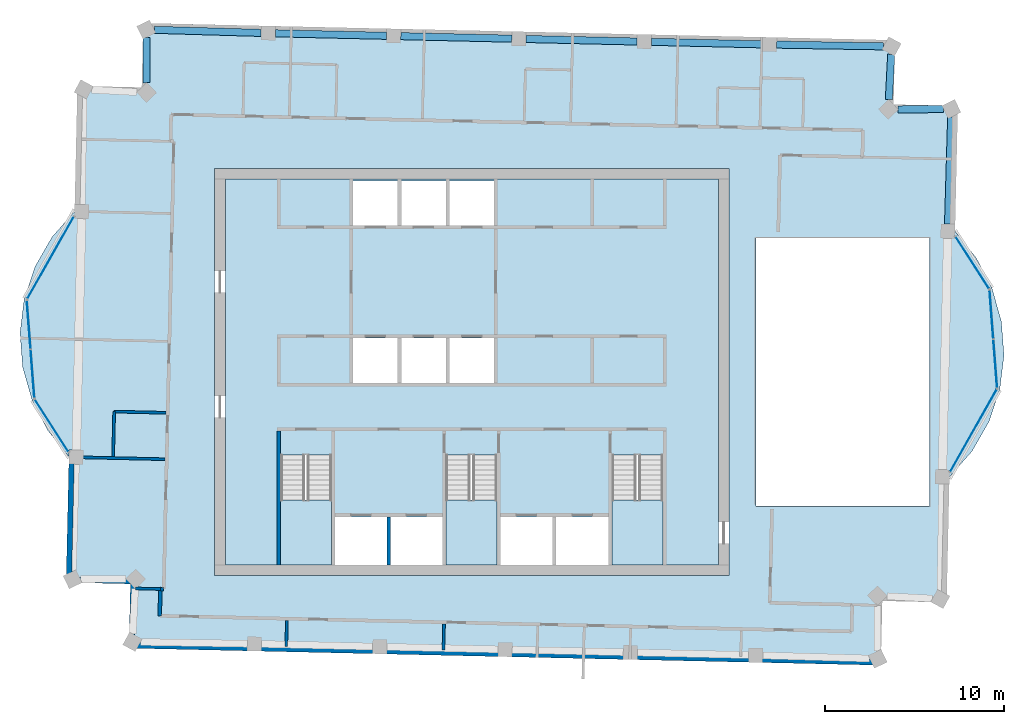
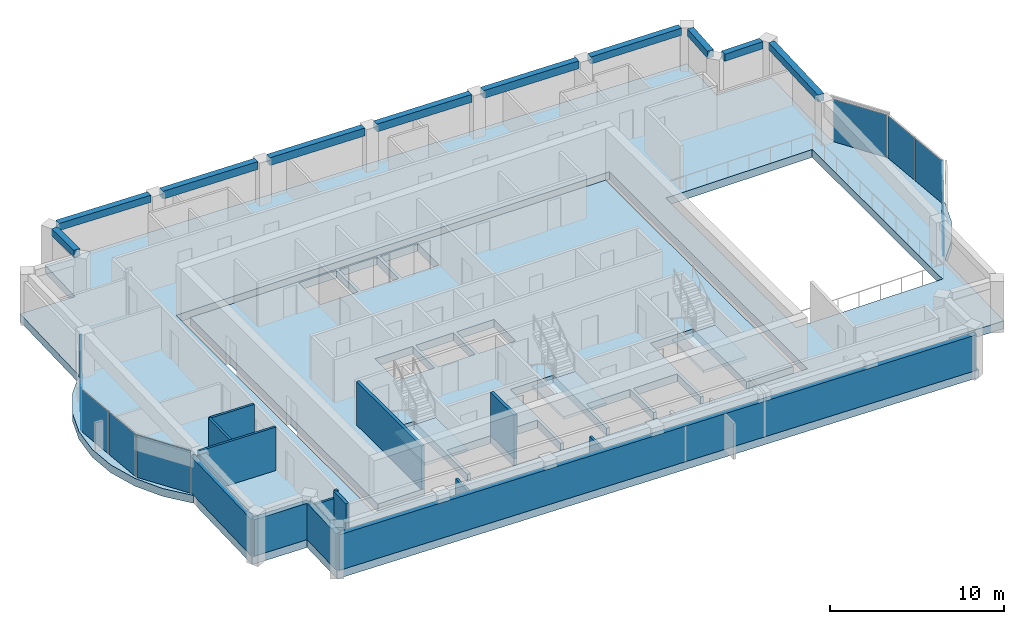
# One storey, part 6 of 12: 14 walls, 10 beams, 8 plates, 5 slabs, 9 elements without a shape of their own.
"""IFC4 building model written with IfcOpenShell, lengths in metres."""

from ifc_helpers import new_model, si_unit, direction, frame, frame_2d, origin, origin_2d, place, context, subcontext, project, spatial, polyline, rectangle, outline, extrude, material, layer, layer_set, material_profile, profile_set, type_object, element, aggregate, save


model = new_model("IFC4")

# Units and contexts
model_context = context("Model", 3, precision=1e-05, world=origin(), true_north=direction((0.0, 1.0)))
body_context = subcontext(model_context, "Body", "Model", "MODEL_VIEW")
ifc_project = project(units=[si_unit("LENGTHUNIT", "METRE"), si_unit("AREAUNIT", "SQUARE_METRE"), si_unit("VOLUMEUNIT", "CUBIC_METRE"), si_unit("PLANEANGLEUNIT", "RADIAN"), si_unit("MASSUNIT", "GRAM", prefix="KILO")], contexts=[model_context])

# Site, building, storey
site_placement = place(None, origin())
site = spatial("IfcSite", under=ifc_project, at=site_placement, CompositionType="ELEMENT")
building_placement = place(site_placement, origin())
building = spatial("IfcBuilding", under=site, at=building_placement, Name="Mangrove Gate Tower", CompositionType="ELEMENT")
storey_placement = place(building_placement, frame((0.0, 0.0, 350.699951171875)))
storey = spatial("IfcBuildingStorey", under=building, at=storey_placement, Name="L89", CompositionType="ELEMENT", Elevation=350.699951171875)

# Beams
ifc_material_1 = material(Name="Concrete C50/60", Category="concrete")
ifc_material_profile_1 = material_profile(ifc_material_1, rectangle(XDim=0.39990234375, YDim=0.5, at=origin_2d()))
ifc_profile_set_1 = profile_set([ifc_material_profile_1], Name="Concrete C50/60")
beam_type_1 = type_object("IfcBeamType", Name="Edge beam RC 400x500 C50/60", PredefinedType="BEAM", material=ifc_profile_set_1)
beam_1_placement = place(storey_placement, frame((26.66064453125, 8.285888671875, 2.800048828125), z_axis=(0.029093708188, 0.999576688476, 0.0), x_axis=(-0.999576688476, 0.029093708188, 0.0)))
element("IfcBeam", 1, at=beam_1_placement, inside=storey, type_object=beam_type_1, Name="Edge beam L89 13", PredefinedType="BEAM", context=body_context, shape_type="SweptSolid", body=[
    extrude(rectangle(XDim=0.39990234375, YDim=0.5, at=origin_2d()), origin(), (0.0, 0.0, 1.0), 5.991455078125),
])
beam_2_placement = place(storey_placement, frame((26.40478515625, 14.72314453125, 2.800048828125), z_axis=(-0.999983852643, -0.00568282097, 0.0), x_axis=(0.00568282097, -0.999983852643, 0.0)))
element("IfcBeam", 2, at=beam_2_placement, inside=storey, type_object=beam_type_1, Name="Edge beam L89 14", PredefinedType="BEAM", context=body_context, shape_type="SweptSolid", body=[
    extrude(rectangle(XDim=0.39990234375, YDim=0.5, at=origin_2d()), origin(), (0.0, 0.0, 1.0), 2.53466796875),
])
beam_3_placement = place(storey_placement, frame((23.347900390625, 15.255126953125, 2.800048828125), z_axis=(0.05123938324, 0.99868640003, 0.0), x_axis=(-0.99868640003, 0.05123938324, 0.0)))
element("IfcBeam", 3, at=beam_3_placement, inside=storey, type_object=beam_type_1, Name="Edge beam L89 15", PredefinedType="BEAM", context=body_context, shape_type="SweptSolid", body=[
    extrude(rectangle(XDim=0.39990234375, YDim=0.5, at=origin_2d()), origin(), (0.0, 0.0, 1.0), 2.534912109375),
])
for number, where, z_axis, x_axis, name in (
    (4, (23.04931640625, 18.236572265625, 2.800048828125), (-0.999868120813, 0.01624010415, 0.0), (-0.01624010415, -0.999868120813, 0.0), "Edge beam L89 16"),
    (5, (-11.79296875, 18.98876953125, 2.800048828125), (-0.999576700811, 0.029093284389, 0.0), (-0.029093284389, -0.999576700811, 0.0), "Edge beam L89 21"),
):
    element("IfcBeam", number, at=place(storey_placement, frame(where, z_axis=z_axis, x_axis=x_axis)), inside=storey, type_object=beam_type_1, Name=name, PredefinedType="BEAM", context=body_context, shape_type="SweptSolid", body=[
        extrude(rectangle(XDim=0.39990234375, YDim=0.5, at=origin_2d()), origin(), (0.0, 0.0, 1.0), 5.983154296875),
    ])
beam_4_placement = place(storey_placement, frame((-18.221923828125, 18.73291015625, 2.800048828125), z_axis=(0.005971192784, -0.999982172269, 0.0), x_axis=(0.999982172269, 0.005971192784, 0.0)))
element("IfcBeam", 6, at=beam_4_placement, inside=storey, type_object=beam_type_1, Name="Edge beam L89 22", PredefinedType="BEAM", context=body_context, shape_type="SweptSolid", body=[
    extrude(rectangle(XDim=0.39990234375, YDim=0.5, at=origin_2d()), origin(), (0.0, 0.0, 1.0), 2.534912109375),
])
ifc_material_2 = material(Name="Concrete C50/60", Category="concrete")
ifc_material_profile_2 = material_profile(ifc_material_2, rectangle(XDim=0.39990234375, YDim=0.550048828125, at=origin_2d()))
ifc_profile_set_2 = profile_set([ifc_material_profile_2], Name="Concrete C50/60")
beam_type_2 = type_object("IfcBeamType", Name="Edge beam RC 400x550 C50/60", PredefinedType="BEAM", material=ifc_profile_set_2)
beam_5_placement = place(storey_placement, frame((16.26708984375, 18.34912109375, 2.775146484375), z_axis=(-0.999743252759, 0.022658962088, 0.0), x_axis=(-0.022658962088, -0.999743252759, 0.0)))
element("IfcBeam", 7, at=beam_5_placement, inside=storey, type_object=beam_type_2, Name="Edge beam L89 17", PredefinedType="BEAM", context=body_context, shape_type="SweptSolid", body=[
    extrude(rectangle(XDim=0.39990234375, YDim=0.550048828125, at=origin_2d()), origin(), (0.0, 0.0, 1.0), 6.217041015625),
])
beam_6_placement = place(storey_placement, frame((9.251953125, 18.508056640625, 2.775146484375), z_axis=(-0.999743232595, 0.022659851719, 0.0), x_axis=(-0.022659851719, -0.999743232595, 0.0)))
element("IfcBeam", 8, at=beam_6_placement, inside=storey, type_object=beam_type_2, Name="Edge beam L89 18", PredefinedType="BEAM", context=body_context, shape_type="SweptSolid", body=[
    extrude(rectangle(XDim=0.39990234375, YDim=0.550048828125, at=origin_2d()), origin(), (0.0, 0.0, 1.0), 6.216796875),
])
beam_7_placement = place(storey_placement, frame((2.237060546875, 18.667236328125, 2.775146484375), z_axis=(-0.999743252759, 0.022658962088, 0.0), x_axis=(-0.022658962088, -0.999743252759, 0.0)))
element("IfcBeam", 9, at=beam_7_placement, inside=storey, type_object=beam_type_2, Name="Edge beam L89 19", PredefinedType="BEAM", context=body_context, shape_type="SweptSolid", body=[
    extrude(rectangle(XDim=0.39990234375, YDim=0.550048828125, at=origin_2d()), origin(), (0.0, 0.0, 1.0), 6.217041015625),
])
beam_8_placement = place(storey_placement, frame((-4.778076171875, 18.826171875, 2.775146484375), z_axis=(-0.999739661617, 0.022816857579, 0.0), x_axis=(-0.022816857579, -0.999739661617, 0.0)))
element("IfcBeam", 10, at=beam_8_placement, inside=storey, type_object=beam_type_2, Name="Edge beam L89 20", PredefinedType="BEAM", context=body_context, shape_type="SweptSolid", body=[
    extrude(rectangle(XDim=0.39990234375, YDim=0.550048828125, at=origin_2d()), origin(), (0.0, 0.0, 1.0), 6.216796875),
])

# Slab
ifc_material_3 = material(Name="Concrete C40/50", Category="concrete")
ifc_layer_1 = layer(ifc_material_3, 0.550048828125)
ifc_layer_set_1 = layer_set([ifc_layer_1], Name="Core floor slab 550 C40/50")
slab_type_1 = type_object("IfcSlabType", Name="Core floor slab 550 C40/50", PredefinedType="FLOOR", material=ifc_layer_set_1)
slab_1_placement = place(storey_placement, frame((0.0, 0.0, -0.550048828125)))
element("IfcSlab", 11, at=slab_1_placement, inside=storey, type_object=slab_type_1, Name="SLAB-L89-CORE-1", PredefinedType="FLOOR", context=body_context, shape_type="SweptSolid", body=[
    extrude(outline(polyline([(-13.800048828125, -10.800048828125), (-13.800048828125, 10.800048828125), (13.800048828125, 10.800048828125), (13.800048828125, -10.800048828125), (10.699951171875, -10.800048828125), (10.699951171875, -4.653076171875), (7.85009765625, -4.653076171875), (7.85009765625, -10.800048828125), (7.64990234375, -10.800048828125), (7.64990234375, -8.10009765625), (4.72509765625, -8.10009765625), (4.72509765625, -10.800048828125), (4.52490234375, -10.800048828125), (4.52490234375, -8.10009765625), (1.60009765625, -8.10009765625), (1.60009765625, -10.800048828125), (1.39990234375, -10.800048828125), (1.39990234375, -4.653076171875), (-1.449951171875, -4.653076171875), (-1.449951171875, -10.800048828125), (-1.64990234375, -10.800048828125), (-1.64990234375, -8.10009765625), (-4.550048828125, -8.10009765625), (-4.550048828125, -10.800048828125), (-4.75, -10.800048828125), (-4.75, -8.10009765625), (-7.64990234375, -8.10009765625), (-7.64990234375, -10.800048828125), (-7.85009765625, -10.800048828125), (-7.85009765625, -4.653076171875), (-10.699951171875, -4.653076171875), (-10.699951171875, -10.800048828125), (-13.800048828125, -10.800048828125)]), holes=[polyline([(-4.14990234375, 1.89990234375), (-6.64990234375, 1.89990234375), (-6.64990234375, -0.60009765625), (-4.14990234375, -0.60009765625), (-4.14990234375, 1.89990234375)]), polyline([(-1.449951171875, -0.60009765625), (-1.449951171875, 1.89990234375), (-3.949951171875, 1.89990234375), (-3.949951171875, -0.60009765625), (-1.449951171875, -0.60009765625)]), polyline([(-4.14990234375, 8.199951171875), (-4.14990234375, 10.699951171875), (-6.64990234375, 10.699951171875), (-6.64990234375, 8.199951171875), (-4.14990234375, 8.199951171875)]), polyline([(-1.449951171875, 10.699951171875), (-3.949951171875, 10.699951171875), (-3.949951171875, 8.199951171875), (-1.449951171875, 8.199951171875), (-1.449951171875, 10.699951171875)]), polyline([(1.25, -0.60009765625), (1.25, 1.89990234375), (-1.25, 1.89990234375), (-1.25, -0.60009765625), (1.25, -0.60009765625)]), polyline([(1.25, 8.199951171875), (1.25, 10.699951171875), (-1.25, 10.699951171875), (-1.25, 8.199951171875), (1.25, 8.199951171875)])]), origin(), (0.0, 0.0, 1.0), 0.550048828125),
])

# Stair, slab
ifc_material_4 = material(Name="Concrete C40/50", Category="concrete")
stair_type = type_object("IfcStairType", Name="Core stair 1350", PredefinedType="HALF_TURN_STAIR", material=ifc_material_4)
stair_1_placement = place(storey_placement, origin())
stair_1 = element("IfcStair", 12, at=stair_1_placement, inside=storey, type_object=stair_type, Name="L89 Stair 1", PredefinedType="HALF_TURN_STAIR")
ifc_material_5 = material(Name="Concrete C40/50", Category="concrete")
ifc_layer_2 = layer(ifc_material_5, 0.199951171875)
ifc_layer_set_2 = layer_set([ifc_layer_2], Name="Core stair landing 200")
slab_type_2 = type_object("IfcSlabType", Name="Core stair landing 200", PredefinedType="LANDING", material=ifc_layer_set_2)
slab_2_placement = place(storey_placement, frame((0.0, 0.0, 1.60009765625)))
slab_2 = element("IfcSlab", 13, at=slab_2_placement, type_object=slab_type_2, Name="ST1 landing 1", PredefinedType="LANDING", context=body_context, shape_type="SweptSolid", body=[
    extrude(outline(polyline([(-10.699951171875, -7.169921875), (-10.699951171875, -10.800048828125), (-7.85009765625, -10.800048828125), (-7.85009765625, -7.169921875), (-10.699951171875, -7.169921875)])), origin(), (0.0, 0.0, 1.0), 0.199951171875),
])
aggregate(stair_1, [slab_2])

stair_2_placement = place(storey_placement, origin())
stair_2 = element("IfcStair", 14, at=stair_2_placement, inside=storey, type_object=stair_type, Name="L89 Stair 2", PredefinedType="HALF_TURN_STAIR")
slab_3_placement = place(storey_placement, frame((0.0, 0.0, 1.60009765625)))
slab_3 = element("IfcSlab", 15, at=slab_3_placement, type_object=slab_type_2, Name="ST2 landing 1", PredefinedType="LANDING", context=body_context, shape_type="SweptSolid", body=[
    extrude(outline(polyline([(-1.449951171875, -7.169921875), (-1.449951171875, -10.800048828125), (1.39990234375, -10.800048828125), (1.39990234375, -7.169921875), (-1.449951171875, -7.169921875)])), origin(), (0.0, 0.0, 1.0), 0.199951171875),
])
aggregate(stair_2, [slab_3])

stair_3_placement = place(storey_placement, origin())
stair_3 = element("IfcStair", 16, at=stair_3_placement, inside=storey, type_object=stair_type, Name="L89 Stair 3", PredefinedType="HALF_TURN_STAIR")
slab_4_placement = place(storey_placement, frame((0.0, 0.0, 1.60009765625)))
slab_4 = element("IfcSlab", 17, at=slab_4_placement, type_object=slab_type_2, Name="ST3 landing 1", PredefinedType="LANDING", context=body_context, shape_type="SweptSolid", body=[
    extrude(outline(polyline([(7.85009765625, -7.169921875), (7.85009765625, -10.800048828125), (10.699951171875, -10.800048828125), (10.699951171875, -7.169921875), (7.85009765625, -7.169921875)])), origin(), (0.0, 0.0, 1.0), 0.199951171875),
])
aggregate(stair_3, [slab_4])

# Curtain wall, plate
ifc_material_6 = material(Name="Aluminium and glass curtain wall", Category="aluminium")
curtain_wall_type = type_object("IfcCurtainWallType", Name="Crown garden glazing wall", PredefinedType="NOTDEFINED", material=ifc_material_6)
curtain_wall_1_placement = place(storey_placement, origin())
curtain_wall_1 = element("IfcCurtainWall", 18, at=curtain_wall_1_placement, inside=storey, type_object=curtain_wall_type, Name="Crown garden glazing E1f1", PredefinedType="NOTDEFINED")
ifc_material_7 = material(Name="Laminated low-e glass", Category="glass")
ifc_layer_3 = layer(ifc_material_7, 0.02587890625)
ifc_layer_set_3 = layer_set([ifc_layer_3], Name="Crown garden glazing panel 26")
plate_type = type_object("IfcPlateType", Name="Crown garden glazing panel 26", PredefinedType="CURTAIN_PANEL", material=ifc_layer_set_3)
plate_1_placement = place(storey_placement, frame((28.081787109375, -3.276123046875, 0.0), z_axis=(0.0, 0.0, 1.0), x_axis=(0.492565535731, 0.870275354707, 0.0)))
plate_1 = element("IfcPlate", 19, at=plate_1_placement, type_object=plate_type, Name="CWC panel 1.1", PredefinedType="CURTAIN_PANEL", context=body_context, shape_type="SweptSolid", body=[
    extrude(rectangle(XDim=5.277587890625, YDim=0.02587890625, at=origin_2d()), origin(), (0.0, 0.0, 1.0), 2.989990234375),
])
aggregate(curtain_wall_1, [plate_1])

# Curtain wall, plates
curtain_wall_2_placement = place(storey_placement, origin())
curtain_wall_2 = element("IfcCurtainWall", 20, at=curtain_wall_2_placement, inside=storey, type_object=curtain_wall_type, Name="Crown garden glazing E1f2", PredefinedType="NOTDEFINED")
plate_2_placement = place(storey_placement, frame((29.302734375, 0.4765625, 0.0), z_axis=(0.0, 0.0, 1.0), x_axis=(-0.077023348386, 0.997029289341, 0.0)))
plate_2 = element("IfcPlate", 21, at=plate_2_placement, type_object=plate_type, Name="CWC panel 1.1", PredefinedType="CURTAIN_PANEL", context=body_context, shape_type="SweptSolid", body=[
    extrude(rectangle(XDim=2.69677734375, YDim=0.02587890625, at=origin_2d()), origin(), (0.0, 0.0, 1.0), 2.989990234375),
])
plate_3_placement = place(storey_placement, frame((29.09033203125, 3.22509765625, 0.0), z_axis=(0.0, 0.0, 1.0), x_axis=(-0.077023348386, 0.997029289341, 0.0)))
plate_3 = element("IfcPlate", 22, at=plate_3_placement, type_object=plate_type, Name="CWC panel 2.1", PredefinedType="CURTAIN_PANEL", context=body_context, shape_type="SweptSolid", body=[
    extrude(rectangle(XDim=2.69677734375, YDim=0.02587890625, at=origin_2d()), origin(), (0.0, 0.0, 1.0), 2.989990234375),
])
aggregate(curtain_wall_2, [plate_2, plate_3])

# Curtain wall, plate
curtain_wall_3_placement = place(storey_placement, origin())
curtain_wall_3 = element("IfcCurtainWall", 23, at=curtain_wall_3_placement, inside=storey, type_object=curtain_wall_type, Name="Crown garden glazing E1f3", PredefinedType="NOTDEFINED")
plate_4_placement = place(storey_placement, frame((28.017578125, 6.13037109375, 0.0), z_axis=(0.0, 0.0, 1.0), x_axis=(-0.540496353657, 0.841346356552, 0.0)))
plate_4 = element("IfcPlate", 24, at=plate_4_placement, type_object=plate_type, Name="CWC panel 1.1", PredefinedType="CURTAIN_PANEL", context=body_context, shape_type="SweptSolid", body=[
    extrude(rectangle(XDim=3.447998046875, YDim=0.02587890625, at=origin_2d()), origin(), (0.0, 0.0, 1.0), 2.989990234375),
])
aggregate(curtain_wall_3, [plate_4])

curtain_wall_4_placement = place(storey_placement, origin())
curtain_wall_4 = element("IfcCurtainWall", 25, at=curtain_wall_4_placement, inside=storey, type_object=curtain_wall_type, Name="Crown garden glazing W9f1", PredefinedType="NOTDEFINED")
plate_5_placement = place(storey_placement, frame((-23.583984375, 6.401611328125, 0.0), z_axis=(0.0, 0.0, 1.0), x_axis=(-0.492564965879, -0.870275677236, 0.0)))
plate_5 = element("IfcPlate", 26, at=plate_5_placement, type_object=plate_type, Name="CWC panel 1.1", PredefinedType="CURTAIN_PANEL", context=body_context, shape_type="SweptSolid", body=[
    extrude(rectangle(XDim=5.277587890625, YDim=0.02587890625, at=origin_2d()), origin(), (0.0, 0.0, 1.0), 2.989990234375),
])
aggregate(curtain_wall_4, [plate_5])

# Curtain wall, plates
curtain_wall_5_placement = place(storey_placement, origin())
curtain_wall_5 = element("IfcCurtainWall", 27, at=curtain_wall_5_placement, inside=storey, type_object=curtain_wall_type, Name="Crown garden glazing W9f2", PredefinedType="NOTDEFINED")
plate_6_placement = place(storey_placement, frame((-24.8046875, 2.648681640625, 0.0), z_axis=(0.0, 0.0, 1.0), x_axis=(0.077023348403, -0.997029289339, 0.0)))
plate_6 = element("IfcPlate", 28, at=plate_6_placement, type_object=plate_type, Name="CWC panel 1.1", PredefinedType="CURTAIN_PANEL", context=body_context, shape_type="SweptSolid", body=[
    extrude(rectangle(XDim=2.69677734375, YDim=0.02587890625, at=origin_2d()), origin(), (0.0, 0.0, 1.0), 2.989990234375),
])
plate_7_placement = place(storey_placement, frame((-24.59228515625, -0.099853515625, 0.0), z_axis=(0.0, 0.0, 1.0), x_axis=(0.077023348403, -0.997029289339, 0.0)))
plate_7 = element("IfcPlate", 29, at=plate_7_placement, type_object=plate_type, Name="CWC panel 2.1", PredefinedType="CURTAIN_PANEL", context=body_context, shape_type="SweptSolid", body=[
    extrude(rectangle(XDim=2.69677734375, YDim=0.02587890625, at=origin_2d()), origin(), (0.0, 0.0, 1.0), 2.989990234375),
])
aggregate(curtain_wall_5, [plate_6, plate_7])

# Curtain wall, plate
curtain_wall_6_placement = place(storey_placement, origin())
curtain_wall_6 = element("IfcCurtainWall", 30, at=curtain_wall_6_placement, inside=storey, type_object=curtain_wall_type, Name="Crown garden glazing W9f3", PredefinedType="NOTDEFINED")
plate_8_placement = place(storey_placement, frame((-23.51953125, -3.0048828125, 0.0), z_axis=(0.0, 0.0, 1.0), x_axis=(0.540495927168, -0.841346630537, 0.0)))
plate_8 = element("IfcPlate", 31, at=plate_8_placement, type_object=plate_type, Name="CWC panel 1.1", PredefinedType="CURTAIN_PANEL", context=body_context, shape_type="SweptSolid", body=[
    extrude(rectangle(XDim=3.447998046875, YDim=0.02587890625, at=origin_2d()), origin(), (0.0, 0.0, 1.0), 2.989990234375),
])
aggregate(curtain_wall_6, [plate_8])

# Slab
ifc_material_8 = material(Name="Concrete C40/50", Category="concrete")
ifc_layer_4 = layer(ifc_material_8, 0.550048828125)
ifc_layer_set_4 = layer_set([ifc_layer_4], Name="Floor slab 550 C40/50")
slab_type_3 = type_object("IfcSlabType", Name="Floor slab 550 C40/50", PredefinedType="FLOOR", material=ifc_layer_set_4)
slab_5_placement = place(storey_placement, frame((0.0, 0.0, -0.550048828125)))
element("IfcSlab", 32, at=slab_5_placement, inside=storey, type_object=slab_type_3, Name="Floor slab L89", PredefinedType="FLOOR", context=body_context, shape_type="SweptSolid", body=[
    extrude(outline(polyline([(-19.192626953125, -15.455322265625), (22.896484375, -16.410400390625), (22.978271484375, -12.811279296875), (26.577392578125, -12.89306640625), (26.736572265625, -5.8701171875), (27.999755859375, -4.43359375), (28.952880859375, -2.775146484375), (29.558349609375, -0.9609375), (29.7919921875, 0.9375), (29.64453125, 2.8447265625), (29.1220703125, 4.684814453125), (28.2451171875, 6.384521484375), (27.048583984375, 7.876953125), (27.2080078125, 14.89990234375), (23.60888671875, 14.9814453125), (23.690673828125, 18.58056640625), (-18.3984375, 19.53564453125), (-18.480224609375, 15.9365234375), (-22.079345703125, 16.018310546875), (-22.23876953125, 8.995361328125), (-23.501708984375, 7.558837890625), (-24.454833984375, 5.900634765625), (-25.060302734375, 4.086181640625), (-25.2939453125, 2.187744140625), (-25.146484375, 0.280517578125), (-24.6240234375, -1.559326171875), (-23.7470703125, -3.25927734375), (-22.550537109375, -4.751708984375), (-22.7099609375, -11.7744140625), (-19.11083984375, -11.856201171875), (-19.192626953125, -15.455322265625)]), holes=[polyline([(15.89990234375, 7.5), (25.623046875, 7.5), (25.623046875, -7.5), (15.89990234375, -7.5), (15.89990234375, 7.5)]), polyline([(-14.39990234375, -11.39990234375), (-14.39990234375, 11.39990234375), (14.39990234375, 11.39990234375), (14.39990234375, -11.39990234375), (-14.39990234375, -11.39990234375)])]), origin(), (0.0, 0.0, 1.0), 0.550048828125),
])

# Walls
ifc_material_9 = material(Name="Concrete C50/60", Category="concrete")
ifc_layer_5 = layer(ifc_material_9, 0.199951171875)
ifc_layer_set_5 = layer_set([ifc_layer_5], Name="Core shaft wall 200 C50/60")
wall_type_1 = type_object("IfcWallType", Name="Core shaft wall 200 C50/60", PredefinedType="SHEAR", material=ifc_layer_set_5)
wall_1_placement = place(storey_placement, frame((-4.64990234375, -10.800048828125, 0.0), z_axis=(0.0, 0.0, 1.0), x_axis=(0.0, 1.0, 0.0)))
element("IfcWall", 33, at=wall_1_placement, inside=storey, type_object=wall_type_1, Name="WALL-L89-CORE-16", PredefinedType="SHEAR", context=body_context, shape_type="SweptSolid", body=[
    extrude(rectangle(XDim=2.699951171875, YDim=0.199951171875, at=frame_2d((1.35009765625, 0.0))), origin(), (0.0, 0.0, 1.0), 3.050048828125),
])
ifc_material_10 = material(Name="Concrete C50/60", Category="concrete")
ifc_layer_6 = layer(ifc_material_10, 0.199951171875)
ifc_layer_set_6 = layer_set([ifc_layer_6], Name="Core stair wall 200 C50/60")
wall_type_2 = type_object("IfcWallType", Name="Core stair wall 200 C50/60", PredefinedType="SHEAR", material=ifc_layer_set_6)
wall_2_placement = place(storey_placement, frame((-10.800048828125, -10.800048828125, 0.0), z_axis=(0.0, 0.0, 1.0), x_axis=(0.0, 1.0, 0.0)))
element("IfcWall", 34, at=wall_2_placement, inside=storey, type_object=wall_type_2, Name="WALL-L89-CORE-9", PredefinedType="SHEAR", context=body_context, shape_type="SweptSolid", body=[
    extrude(rectangle(XDim=7.5, YDim=0.199951171875, at=frame_2d((3.75, 0.0))), origin(), (0.0, 0.0, 1.0), 3.050048828125),
])
ifc_material_11 = material(Name="Gypsum board on steel stud, EI 60", Category="steel")
ifc_layer_7 = layer(ifc_material_11, 0.199951171875)
ifc_layer_set_7 = layer_set([ifc_layer_7], Name="Corridor wall EI 60")
wall_type_3 = type_object("IfcWallType", Name="Corridor wall EI 60", PredefinedType="PARTITIONING", material=ifc_layer_set_7)
wall_3_placement = place(storey_placement, frame((-17.470947265625, -13.64404296875, 0.0), z_axis=(0.0, 0.0, 1.0), x_axis=(0.022617910375, 0.999744182344, 0.0)))
element("IfcWall", 35, at=wall_3_placement, inside=storey, type_object=wall_type_3, Name="WALL-L89-007", PredefinedType="PARTITIONING", context=body_context, shape_type="SweptSolid", body=[
    extrude(rectangle(XDim=1.50048828125, YDim=0.199951171875, at=frame_2d((0.750244140625, 0.0))), origin(), (0.0, 0.0, 1.0), 3.050048828125),
])
wall_4_placement = place(storey_placement, frame((-17.43408203125, -12.14404296875, 0.0), z_axis=(0.0, 0.0, 1.0), x_axis=(0.999655732728, -0.026237683274, 0.0)))
element("IfcWall", 36, at=wall_4_placement, inside=storey, type_object=wall_type_3, Name="WALL-L89-011", PredefinedType="PARTITIONING", context=body_context, shape_type="SweptSolid", body=[
    extrude(rectangle(XDim=0.18603515625, YDim=0.199951171875, at=frame_2d((0.093017578125, 0.0))), origin(), (0.0, 0.0, 1.0), 3.050048828125),
])
ifc_material_12 = material(Name="Limestone", Category="masonry")
ifc_layer_8 = layer(ifc_material_12, 0.0400390625, Name="Limestone cladding")
ifc_material_13 = material(Name="Ventilated air gap")
ifc_layer_9 = layer(ifc_material_13, 0.0400390625, Name="Ventilated cavity")
ifc_material_14 = material(Name="Mineral wool insulation")
ifc_layer_10 = layer(ifc_material_14, 0.06005859375, Name="Insulation")
ifc_material_15 = material(Name="Breather membrane")
ifc_layer_11 = layer(ifc_material_15, 0.001953125, Name="Breather membrane")
ifc_material_16 = material(Name="Concrete C20/25 blockwork", Category="masonry")
ifc_layer_12 = layer(ifc_material_16, 0.14990234375, Name="Blockwork backing wall")
ifc_material_17 = material(Name="Gypsum plaster")
ifc_layer_13 = layer(ifc_material_17, 0.008056640625, Name="Internal plaster")
ifc_layer_set_8 = layer_set([ifc_layer_8, ifc_layer_9, ifc_layer_10, ifc_layer_11, ifc_layer_12, ifc_layer_13], Name="External wall 300 limestone cladding")
wall_type_4 = type_object("IfcWallType", Name="External wall 300 limestone cladding", PredefinedType="SOLIDWALL", material=ifc_layer_set_8)
wall_5_placement = place(storey_placement, frame((-22.39208984375, -4.35595703125, 0.0), z_axis=(0.0, 0.0, 1.0), x_axis=(-0.022655836414, -0.999743323597, 0.0)))
element("IfcWall", 37, at=wall_5_placement, inside=storey, type_object=wall_type_4, Name="WALL-L89-W10s1", PredefinedType="SOLIDWALL", context=body_context, shape_type="SweptSolid", body=[
    extrude(rectangle(XDim=7.27392578125, YDim=0.300048828125, at=frame_2d((3.636962890625, 0.0))), origin(), (0.0, 0.0, 1.0), 2.550048828125),
])
wall_6_placement = place(storey_placement, frame((-22.556884765625, -11.6279296875, 0.0), z_axis=(0.0, 0.0, 1.0), x_axis=(0.999740327787, -0.022787650101, 0.0)))
element("IfcWall", 38, at=wall_6_placement, inside=storey, type_object=wall_type_4, Name="WALL-L89-S11", PredefinedType="SOLIDWALL", context=body_context, shape_type="SweptSolid", body=[
    extrude(rectangle(XDim=3.599853515625, YDim=0.300048828125, at=frame_2d((1.7998046875, 0.0))), origin(), (0.0, 0.0, 1.0), 2.550048828125),
])
wall_7_placement = place(storey_placement, frame((-18.9580078125, -11.7099609375, 0.0), z_axis=(0.0, 0.0, 1.0), x_axis=(-0.022514980321, -0.999746505701, 0.0)))
element("IfcWall", 39, at=wall_7_placement, inside=storey, type_object=wall_type_4, Name="WALL-L89-W12", PredefinedType="SOLIDWALL", context=body_context, shape_type="SweptSolid", body=[
    extrude(rectangle(XDim=3.60009765625, YDim=0.300048828125, at=frame_2d((1.800048828125, 0.0))), origin(), (0.0, 0.0, 1.0), 2.550048828125),
])
wall_8_placement = place(storey_placement, frame((-19.0390625, -15.30908203125, 0.0), z_axis=(0.0, 0.0, 1.0), x_axis=(0.999742787513, -0.022679480066, 0.0)))
element("IfcWall", 40, at=wall_8_placement, inside=storey, type_object=wall_type_4, Name="WALL-L89-S13", PredefinedType="SOLIDWALL", context=body_context, shape_type="SweptSolid", body=[
    extrude(rectangle(XDim=41.7998046875, YDim=0.300048828125, at=frame_2d((20.89990234375, 0.0))), origin(), (0.0, 0.0, 1.0), 2.5),
])
ifc_material_18 = material(Name="Gypsum board on steel stud, EI 60", Category="steel")
ifc_layer_14 = layer(ifc_material_18, 0.14990234375)
ifc_layer_set_9 = layer_set([ifc_layer_14], Name="Party wall 150 EI 60")
wall_type_5 = type_object("IfcWallType", Name="Party wall 150 EI 60", PredefinedType="PARTITIONING", material=ifc_layer_set_9)
for number, where, z_axis, x_axis, name in (
    (41, (-10.387939453125, -15.35498046875, 0.0), (0.0, 0.0, 1.0), (0.022725229174, 0.999741748633, 0.0), "WALL-L89-004"),
    (42, (-1.590087890625, -15.554931640625, 0.0), (0.0, 0.0, 1.0), (0.022893476303, 0.999737910026, 0.0), "WALL-L89-005"),
):
    element("IfcWall", number, at=place(storey_placement, frame(where, z_axis=z_axis, x_axis=x_axis)), inside=storey, type_object=wall_type_5, Name=name, PredefinedType="PARTITIONING", context=body_context, shape_type="SweptSolid", body=[
        extrude(rectangle(XDim=1.450439453125, YDim=0.14990234375, at=frame_2d((0.72509765625, 0.0))), origin(), (0.0, 0.0, 1.0), 2.5),
    ])
wall_9_placement = place(storey_placement, frame((-18.81689453125, -12.113037109375, 0.0), z_axis=(0.0, 0.0, 1.0), x_axis=(0.999750215708, -0.022349635169, 0.0)))
element("IfcWall", 43, at=wall_9_placement, inside=storey, type_object=wall_type_5, Name="WALL-L89-010", PredefinedType="PARTITIONING", context=body_context, shape_type="SweptSolid", body=[
    extrude(rectangle(XDim=1.38720703125, YDim=0.14990234375, at=frame_2d((0.693603515625, 0.0))), origin(), (0.0, 0.0, 1.0), 2.550048828125),
])
wall_10_placement = place(storey_placement, frame((-22.2509765625, -4.762939453125, 0.0), z_axis=(0.0, 0.0, 1.0), x_axis=(0.999742680233, -0.022684208613, 0.0)))
element("IfcWall", 44, at=wall_10_placement, inside=storey, type_object=wall_type_5, Name="WALL-L89-016", PredefinedType="PARTITIONING", context=body_context, shape_type="SweptSolid", body=[
    extrude(rectangle(XDim=5.069091796875, YDim=0.14990234375, at=frame_2d((2.53466796875, 0.0))), origin(), (0.0, 0.0, 1.0), 3.050048828125),
])
wall_11_placement = place(storey_placement, frame((-20.080078125, -4.73193359375, 0.0), z_axis=(0.0, 0.0, 1.0), x_axis=(0.023015762656, 0.999735102249, 0.0)))
element("IfcWall", 45, at=wall_11_placement, inside=storey, type_object=wall_type_5, Name="WALL-L89-017", PredefinedType="PARTITIONING", context=body_context, shape_type="SweptSolid", body=[
    extrude(rectangle(XDim=2.524658203125, YDim=0.14990234375, at=frame_2d((1.26220703125, 0.0))), origin(), (0.0, 0.0, 1.0), 3.050048828125),
])
wall_12_placement = place(storey_placement, frame((-20.02294921875, -2.212890625, 0.0), z_axis=(0.0, 0.0, 1.0), x_axis=(0.999739657619, -0.022817032779, 0.0)))
element("IfcWall", 46, at=wall_12_placement, inside=storey, type_object=wall_type_5, Name="WALL-L89-018", PredefinedType="PARTITIONING", context=body_context, shape_type="SweptSolid", body=[
    extrude(rectangle(XDim=2.899658203125, YDim=0.14990234375, at=frame_2d((1.44970703125, 0.0))), origin(), (0.0, 0.0, 1.0), 3.050048828125),
])

save(model, "model.ifc")
